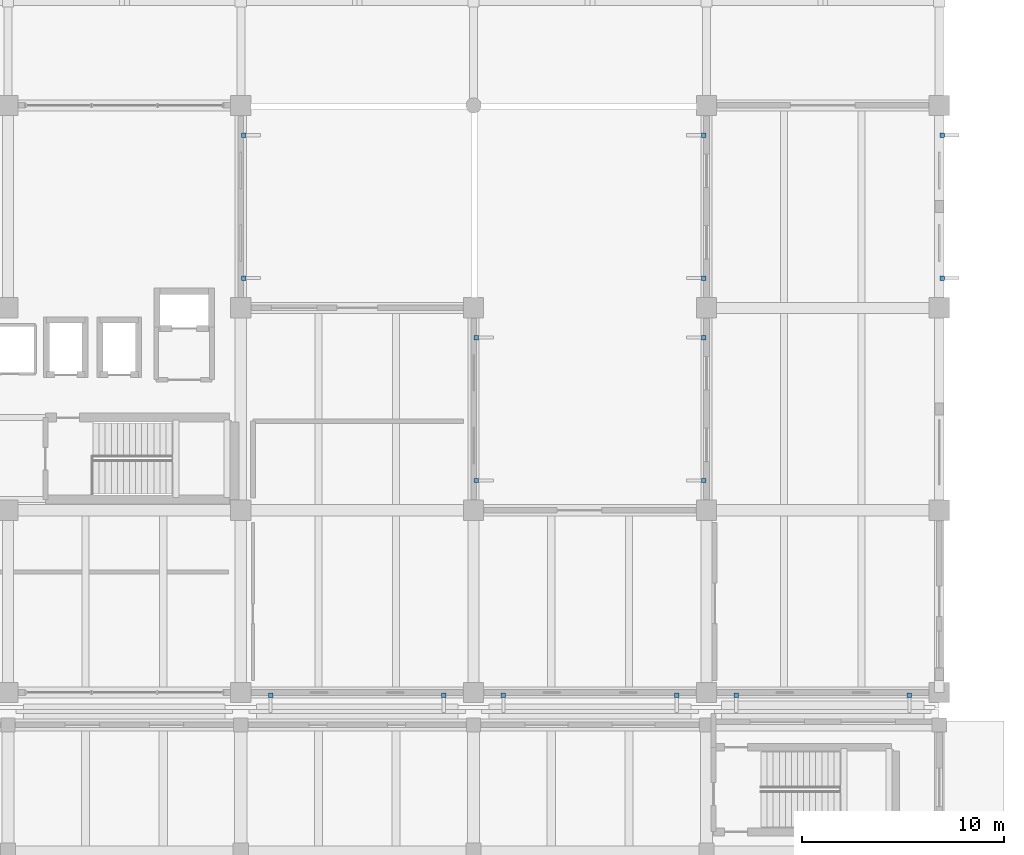
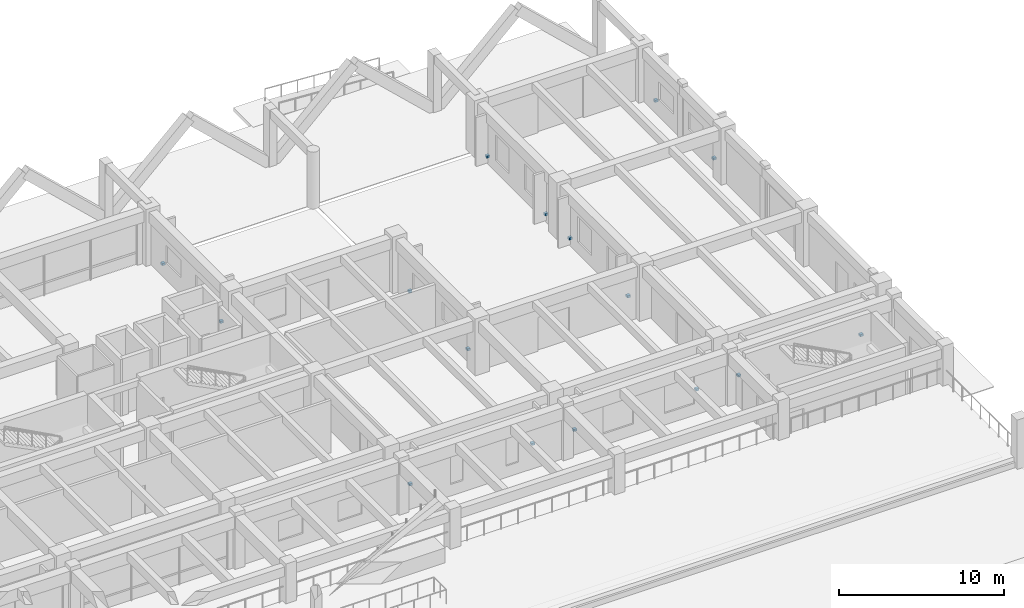
# One storey, part 98 of 109: 16 discrete accessories.
"""IFC4 building model written with IfcOpenShell, lengths in metres."""

from ifc_helpers import new_model, si_unit, direction, frame, origin, origin_2d, place, context, subcontext, project, spatial, rectangle, extrude, material, type_object, element, save


model = new_model("IFC4")

# Units and contexts
model_context = context("Model", 3, precision=1e-05, world=origin(), true_north=direction((0.0, 1.0)))
body_context = subcontext(model_context, "Body", "Model", "MODEL_VIEW")
ifc_project = project(units=[si_unit("LENGTHUNIT", "METRE"), si_unit("AREAUNIT", "SQUARE_METRE"), si_unit("VOLUMEUNIT", "CUBIC_METRE"), si_unit("PLANEANGLEUNIT", "RADIAN"), si_unit("MASSUNIT", "GRAM", prefix="KILO")], contexts=[model_context])

# Site, building, storey
site_placement = place(None, origin())
site = spatial("IfcSite", under=ifc_project, at=site_placement, CompositionType="ELEMENT")
building_placement = place(site_placement, origin())
building = spatial("IfcBuilding", under=site, at=building_placement, Name="Ologun Quay Terminus", CompositionType="ELEMENT")
storey_placement = place(building_placement, origin())
storey = spatial("IfcBuildingStorey", under=building, at=storey_placement, Name="L00", CompositionType="ELEMENT", Elevation=0.0)

# Discrete accessories
ifc_material = material(Name="Steel S355", Category="steel")
discrete_accessory_type = type_object("IfcDiscreteAccessoryType", Name="Solar Fin Stainless Support Bracket", PredefinedType="BRACKET", material=ifc_material)
for number, where, z_axis, x_axis, name in (
    (1, (150.969970703125, 85.659912109375, 0.52001953125), (0.0, 0.0, 1.0), (1.0, 0.0, 0.0), "BRK-01 Solar Fin Bracket WEW-EW-L00-4-1"),
    (2, (159.530029296875, 85.659912109375, 0.52001953125), (0.0, 0.0, 1.0), (1.0, 0.0, 0.0), "BRK-01 Solar Fin Bracket WEW-EW-L00-4-2"),
    (3, (162.469970703125, 85.659912109375, 0.52001953125), (0.0, 0.0, 1.0), (1.0, 0.0, 0.0), "BRK-01 Solar Fin Bracket WEW-EW-L00-5-1"),
    (4, (171.030029296875, 85.659912109375, 0.52001953125), (0.0, 0.0, 1.0), (1.0, 0.0, 0.0), "BRK-01 Solar Fin Bracket WEW-EW-L00-5-2"),
    (5, (173.969970703125, 85.659912109375, 0.52001953125), (0.0, 0.0, 1.0), (1.0, 0.0, 0.0), "BRK-01 Solar Fin Bracket WEW-EW-L00-6-1"),
    (6, (182.530029296875, 85.659912109375, 0.52001953125), (0.0, 0.0, 1.0), (1.0, 0.0, 0.0), "BRK-01 Solar Fin Bracket WEW-EW-L00-6-2"),
    (7, (184.139892578125, 106.27001953125, 0.52001953125), (0.0, 0.0, 1.0), (1.0, 0.0, 0.0), "BRK-01 Solar Fin Bracket WEW-EW-L00-9-1"),
    (8, (184.139892578125, 113.330078125, 0.52001953125), (0.0, 0.0, 1.0), (1.0, 0.0, 0.0), "BRK-01 Solar Fin Bracket WEW-EW-L00-9-2"),
    (9, (172.360107421875, 96.27001953125, 0.52001953125), (0.0, 0.0, 1.0), (1.0, 0.0, 0.0), "BRK-01 Solar Fin Bracket WEW-EW-L00-11-1"),
    (10, (172.360107421875, 103.330078125, 0.52001953125), (0.0, 0.0, 1.0), (1.0, 0.0, 0.0), "BRK-01 Solar Fin Bracket WEW-EW-L00-11-2"),
    (11, (172.360107421875, 106.27001953125, 0.52001953125), (0.0, 0.0, 1.0), (1.0, 0.0, 0.0), "BRK-01 Solar Fin Bracket WEW-EW-L00-12-1"),
    (12, (172.360107421875, 113.330078125, 0.52001953125), (0.0, 0.0, 1.0), (1.0, 0.0, 0.0), "BRK-01 Solar Fin Bracket WEW-EW-L00-12-2"),
    (13, (161.139892578125, 96.27001953125, 0.52001953125), (0.0, 0.0, 1.0), (1.0, 0.0, 0.0), "BRK-01 Solar Fin Bracket WEW-EW-L00-14-1"),
    (14, (161.139892578125, 103.330078125, 0.52001953125), (0.0, 0.0, 1.0), (1.0, 0.0, 0.0), "BRK-01 Solar Fin Bracket WEW-EW-L00-14-2"),
    (15, (149.639892578125, 106.27001953125, 0.52001953125), (0.0, 0.0, 1.0), (1.0, 0.0, 0.0), "BRK-01 Solar Fin Bracket WEW-EW-L00-16-1"),
    (16, (149.639892578125, 113.330078125, 0.52001953125), (0.0, 0.0, 1.0), (1.0, 0.0, 0.0), "BRK-01 Solar Fin Bracket WEW-EW-L00-16-2"),
):
    element("IfcDiscreteAccessory", number, at=place(storey_placement, frame(where, z_axis=z_axis, x_axis=x_axis)), inside=storey, type_object=discrete_accessory_type, Name=name, PredefinedType="BRACKET", context=body_context, shape_type="SweptSolid", body=[
        extrude(rectangle(XDim=0.219970703125, YDim=0.219970703125, at=origin_2d()), origin(), (0.0, 0.0, 1.0), 0.159912109375),
    ])

save(model, "model.ifc")
